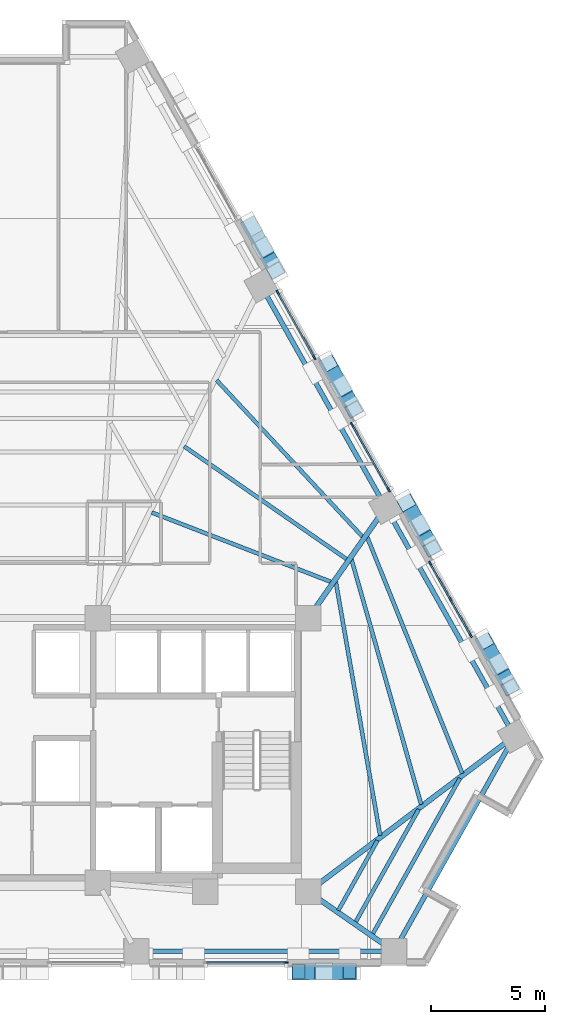
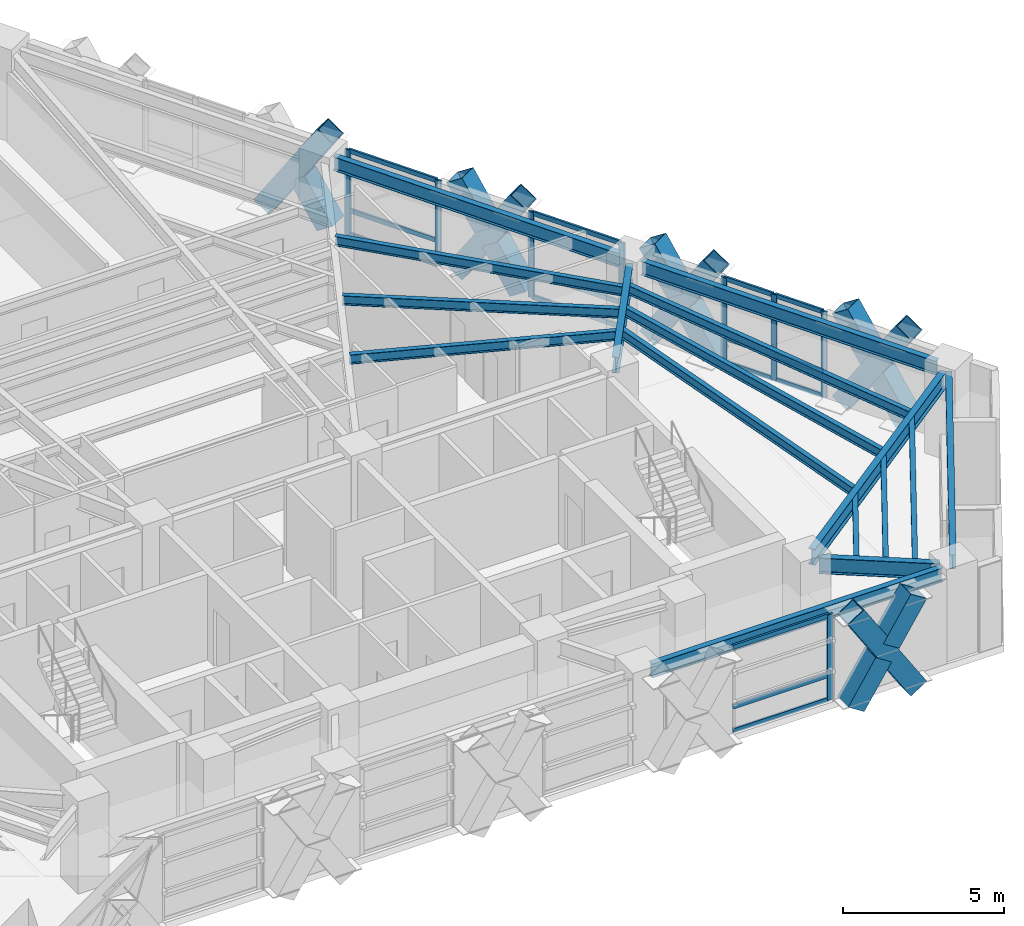
# One storey, part 4 of 14: 37 members, 16 beams, 4 elements without a shape of their own.
"""IFC4 building model written with IfcOpenShell, lengths in metres."""

from ifc_helpers import new_model, si_unit, direction, frame, origin, origin_2d, place, context, subcontext, project, spatial, rectangle, hollow_rectangle, i_section, extrude, material, material_profile, profile_set, type_object, element, aggregate, save


model = new_model("IFC4")

# Units and contexts
model_context = context("Model", 3, precision=1e-05, world=origin(), true_north=direction((0.0, 1.0)))
body_context = subcontext(model_context, "Body", "Model", "MODEL_VIEW")
ifc_project = project(units=[si_unit("LENGTHUNIT", "METRE"), si_unit("AREAUNIT", "SQUARE_METRE"), si_unit("VOLUMEUNIT", "CUBIC_METRE"), si_unit("PLANEANGLEUNIT", "RADIAN"), si_unit("MASSUNIT", "GRAM", prefix="KILO")], contexts=[model_context])

# Site, building, storey
site_placement = place(None, origin())
site = spatial("IfcSite", under=ifc_project, at=site_placement, CompositionType="ELEMENT")
building_placement = place(site_placement, origin())
building = spatial("IfcBuilding", under=site, at=building_placement, Name="Quenlor Broadcast Tower", CompositionType="ELEMENT")
storey_placement = place(building_placement, frame((0.0, 0.0, 80.10009765625)))
storey = spatial("IfcBuildingStorey", under=building, at=storey_placement, Name="L21", CompositionType="ELEMENT", Elevation=80.10009765625)

# Curtain wall, member
ifc_material_1 = material(Name="Architectural Terracotta and Low-E Glazing", Category="masonry")
curtain_wall_type = type_object("IfcCurtainWallType", Name="Unitised Terracotta Curtain Wall System Z2", PredefinedType="NOTDEFINED", material=ifc_material_1)
curtain_wall_1_placement = place(storey_placement, origin())
curtain_wall_1 = element("IfcCurtainWall", 1, at=curtain_wall_1_placement, inside=storey, type_object=curtain_wall_type, Name="L21 Curtain Wall CW2 (L21-SA-G1)", PredefinedType="NOTDEFINED")
ifc_material_2 = material(Name="Aluminium 6063-T6", Category="aluminium")
ifc_material_profile_1 = material_profile(ifc_material_2, rectangle(XDim=0.074951171875, YDim=0.199951171875, at=origin_2d()))
ifc_profile_set_1 = profile_set([ifc_material_profile_1], Name="Aluminium 6063-T6 MULL75x200")
member_type_1 = type_object("IfcMemberType", Name="CW2 Aluminium Mullion MULL_CW2", PredefinedType="MULLION", material=ifc_profile_set_1)
member_1_placement = place(storey_placement, frame((11.981689453125, -19.840087890625, 0.0), z_axis=(0.0, 0.0, 1.0), x_axis=(0.0, -1.0, 0.0)))
member_1 = element("IfcMember", 2, at=member_1_placement, type_object=member_type_1, Name="CW2 mullion 1", PredefinedType="MULLION", context=body_context, shape_type="SweptSolid", body=[
    extrude(rectangle(XDim=0.074951171875, YDim=0.199951171875, at=origin_2d()), origin(), (0.0, 0.0, 1.0), 3.25),
])

# Curtain wall, members
curtain_wall_2_placement = place(storey_placement, origin())
curtain_wall_2 = element("IfcCurtainWall", 3, at=curtain_wall_2_placement, inside=storey, type_object=curtain_wall_type, Name="L21 Curtain Wall CW2 (L21-NEC-G1)", PredefinedType="NOTDEFINED")
member_2_placement = place(storey_placement, frame((18.270263671875, -2.406982421875, 0.0), z_axis=(0.0, 0.0, 1.0), x_axis=(0.871566839915, 0.490276701018, 0.0)))
member_2 = element("IfcMember", 4, at=member_2_placement, type_object=member_type_1, Name="CW2 mullion 1", PredefinedType="MULLION", context=body_context, shape_type="SweptSolid", body=[
    extrude(rectangle(XDim=0.074951171875, YDim=0.199951171875, at=origin_2d()), origin(), (0.0, 0.0, 1.0), 3.25),
])
member_3_placement = place(storey_placement, frame((19.155029296875, -3.97998046875, 0.0), z_axis=(0.0, 0.0, 1.0), x_axis=(0.871566839915, 0.490276701018, 0.0)))
member_3 = element("IfcMember", 5, at=member_3_placement, type_object=member_type_1, Name="CW2 mullion 2", PredefinedType="MULLION", context=body_context, shape_type="SweptSolid", body=[
    extrude(rectangle(XDim=0.074951171875, YDim=0.199951171875, at=origin_2d()), origin(), (0.0, 0.0, 1.0), 3.25),
])
member_4_placement = place(storey_placement, frame((20.0400390625, -5.55322265625, 0.0), z_axis=(0.0, 0.0, 1.0), x_axis=(0.871566839915, 0.490276701018, 0.0)))
member_4 = element("IfcMember", 6, at=member_4_placement, type_object=member_type_1, Name="CW2 mullion 3", PredefinedType="MULLION", context=body_context, shape_type="SweptSolid", body=[
    extrude(rectangle(XDim=0.074951171875, YDim=0.199951171875, at=origin_2d()), origin(), (0.0, 0.0, 1.0), 3.25),
])

curtain_wall_3_placement = place(storey_placement, origin())
curtain_wall_3 = element("IfcCurtainWall", 7, at=curtain_wall_3_placement, inside=storey, type_object=curtain_wall_type, Name="L21 Curtain Wall CW2 (L21-NE-G1)", PredefinedType="NOTDEFINED")
member_5_placement = place(storey_placement, frame((11.611572265625, 9.430419921875, 0.0), z_axis=(0.0, 0.0, 1.0), x_axis=(0.871575537123, 0.490261239636, 0.0)))
member_5 = element("IfcMember", 8, at=member_5_placement, type_object=member_type_1, Name="CW2 mullion 1", PredefinedType="MULLION", context=body_context, shape_type="SweptSolid", body=[
    extrude(rectangle(XDim=0.074951171875, YDim=0.199951171875, at=origin_2d()), origin(), (0.0, 0.0, 1.0), 3.25),
])
member_6_placement = place(storey_placement, frame((13.2138671875, 6.582275390625, 0.0), z_axis=(0.0, 0.0, 1.0), x_axis=(0.871575537123, 0.490261239636, 0.0)))
member_6 = element("IfcMember", 9, at=member_6_placement, type_object=member_type_1, Name="CW2 mullion 2", PredefinedType="MULLION", context=body_context, shape_type="SweptSolid", body=[
    extrude(rectangle(XDim=0.074951171875, YDim=0.199951171875, at=origin_2d()), origin(), (0.0, 0.0, 1.0), 3.25),
])

curtain_wall_4_placement = place(storey_placement, origin())
curtain_wall_4 = element("IfcCurtainWall", 10, at=curtain_wall_4_placement, inside=storey, type_object=curtain_wall_type, Name="L21 Curtain Wall CW2 (L21-NE-G2)", PredefinedType="NOTDEFINED")
member_7_placement = place(storey_placement, frame((14.857177734375, 3.660888671875, 0.0), z_axis=(0.0, 0.0, 1.0), x_axis=(0.871575537123, 0.490261239636, 0.0)))
member_7 = element("IfcMember", 11, at=member_7_placement, type_object=member_type_1, Name="CW2 mullion 1", PredefinedType="MULLION", context=body_context, shape_type="SweptSolid", body=[
    extrude(rectangle(XDim=0.074951171875, YDim=0.199951171875, at=origin_2d()), origin(), (0.0, 0.0, 1.0), 3.25),
])
member_8_placement = place(storey_placement, frame((16.459228515625, 0.812744140625, 0.0), z_axis=(0.0, 0.0, 1.0), x_axis=(0.871575537123, 0.490261239636, 0.0)))
member_8 = element("IfcMember", 12, at=member_8_placement, type_object=member_type_1, Name="CW2 mullion 2", PredefinedType="MULLION", context=body_context, shape_type="SweptSolid", body=[
    extrude(rectangle(XDim=0.074951171875, YDim=0.199951171875, at=origin_2d()), origin(), (0.0, 0.0, 1.0), 3.25),
])

# Member
ifc_material_3 = material(Name="Aluminium 6063-T6", Category="aluminium")
ifc_material_profile_2 = material_profile(ifc_material_3, rectangle(XDim=0.074951171875, YDim=0.1650390625, at=origin_2d()))
ifc_profile_set_2 = profile_set([ifc_material_profile_2], Name="Aluminium 6063-T6 TRAN75x165")
member_type_2 = type_object("IfcMemberType", Name="CW2 Aluminium Transom TRAN_CW2", PredefinedType="USERDEFINED", material=ifc_profile_set_2)
member_9_placement = place(storey_placement, frame((11.944091796875, -19.840087890625, 0.037353515625), z_axis=(-1.0, 0.0, 0.0), x_axis=(0.0, -1.0, 0.0)))
member_9 = element("IfcMember", 13, at=member_9_placement, type_object=member_type_2, Name="CW2 transom 1.1", ObjectType="TRANSOM", PredefinedType="USERDEFINED", context=body_context, shape_type="SweptSolid", body=[
    extrude(rectangle(XDim=0.074951171875, YDim=0.1650390625, at=origin_2d()), origin(), (0.0, 0.0, 1.0), 3.435546875),
])

member_10_placement = place(storey_placement, frame((11.944091796875, -19.840087890625, 0.949951171875), z_axis=(-1.0, 0.0, 0.0), x_axis=(0.0, -1.0, 0.0)))
member_10 = element("IfcMember", 14, at=member_10_placement, type_object=member_type_2, Name="CW2 transom 1.2", ObjectType="TRANSOM", PredefinedType="USERDEFINED", context=body_context, shape_type="SweptSolid", body=[
    extrude(rectangle(XDim=0.074951171875, YDim=0.1650390625, at=origin_2d()), origin(), (0.0, 0.0, 1.0), 3.435546875),
])

member_11_placement = place(storey_placement, frame((11.944091796875, -19.840087890625, 3.21240234375), z_axis=(-1.0, 0.0, 0.0), x_axis=(0.0, -1.0, 0.0)))
member_11 = element("IfcMember", 15, at=member_11_placement, type_object=member_type_2, Name="CW2 transom 1.3", ObjectType="TRANSOM", PredefinedType="USERDEFINED", context=body_context, shape_type="SweptSolid", body=[
    extrude(rectangle(XDim=0.074951171875, YDim=0.1650390625, at=origin_2d()), origin(), (0.0, 0.0, 1.0), 3.435546875),
])

aggregate(curtain_wall_1, [member_1, member_9, member_10, member_11])

member_12_placement = place(storey_placement, frame((18.28857421875, -2.439453125, 0.037353515625), z_axis=(0.490261239633, -0.871575537125, 0.0), x_axis=(0.871575537125, 0.490261239633, 0.0)))
member_12 = element("IfcMember", 16, at=member_12_placement, type_object=member_type_2, Name="CW2 transom 1.1", ObjectType="TRANSOM", PredefinedType="USERDEFINED", context=body_context, shape_type="SweptSolid", body=[
    extrude(rectangle(XDim=0.074951171875, YDim=0.1650390625, at=origin_2d()), origin(), (0.0, 0.0, 1.0), 1.72998046875),
])

member_13_placement = place(storey_placement, frame((18.28857421875, -2.439453125, 0.949951171875), z_axis=(0.490261239633, -0.871575537125, 0.0), x_axis=(0.871575537125, 0.490261239633, 0.0)))
member_13 = element("IfcMember", 17, at=member_13_placement, type_object=member_type_2, Name="CW2 transom 1.2", ObjectType="TRANSOM", PredefinedType="USERDEFINED", context=body_context, shape_type="SweptSolid", body=[
    extrude(rectangle(XDim=0.074951171875, YDim=0.1650390625, at=origin_2d()), origin(), (0.0, 0.0, 1.0), 1.72998046875),
])

member_14_placement = place(storey_placement, frame((18.28857421875, -2.439453125, 3.21240234375), z_axis=(0.490261239633, -0.871575537125, 0.0), x_axis=(0.871575537125, 0.490261239633, 0.0)))
member_14 = element("IfcMember", 18, at=member_14_placement, type_object=member_type_2, Name="CW2 transom 1.3", ObjectType="TRANSOM", PredefinedType="USERDEFINED", context=body_context, shape_type="SweptSolid", body=[
    extrude(rectangle(XDim=0.074951171875, YDim=0.1650390625, at=origin_2d()), origin(), (0.0, 0.0, 1.0), 1.72998046875),
])

member_15_placement = place(storey_placement, frame((19.173583984375, -4.0126953125, 0.037353515625), z_axis=(0.490261239633, -0.871575537125, 0.0), x_axis=(0.871575537125, 0.490261239633, 0.0)))
member_15 = element("IfcMember", 19, at=member_15_placement, type_object=member_type_2, Name="CW2 transom 2.1", ObjectType="TRANSOM", PredefinedType="USERDEFINED", context=body_context, shape_type="SweptSolid", body=[
    extrude(rectangle(XDim=0.074951171875, YDim=0.1650390625, at=origin_2d()), origin(), (0.0, 0.0, 1.0), 1.72998046875),
])

member_16_placement = place(storey_placement, frame((19.173583984375, -4.0126953125, 0.949951171875), z_axis=(0.490261239633, -0.871575537125, 0.0), x_axis=(0.871575537125, 0.490261239633, 0.0)))
member_16 = element("IfcMember", 20, at=member_16_placement, type_object=member_type_2, Name="CW2 transom 2.2", ObjectType="TRANSOM", PredefinedType="USERDEFINED", context=body_context, shape_type="SweptSolid", body=[
    extrude(rectangle(XDim=0.074951171875, YDim=0.1650390625, at=origin_2d()), origin(), (0.0, 0.0, 1.0), 1.72998046875),
])

member_17_placement = place(storey_placement, frame((19.173583984375, -4.0126953125, 3.21240234375), z_axis=(0.490261239633, -0.871575537125, 0.0), x_axis=(0.871575537125, 0.490261239633, 0.0)))
member_17 = element("IfcMember", 21, at=member_17_placement, type_object=member_type_2, Name="CW2 transom 2.3", ObjectType="TRANSOM", PredefinedType="USERDEFINED", context=body_context, shape_type="SweptSolid", body=[
    extrude(rectangle(XDim=0.074951171875, YDim=0.1650390625, at=origin_2d()), origin(), (0.0, 0.0, 1.0), 1.72998046875),
])

aggregate(curtain_wall_2, [member_2, member_3, member_4, member_12, member_13, member_14, member_15, member_16, member_17])

member_18_placement = place(storey_placement, frame((11.630126953125, 9.39794921875, 0.037353515625), z_axis=(0.490206784037, -0.871606166158, 0.0), x_axis=(0.871606166158, 0.490206784037, 0.0)))
member_18 = element("IfcMember", 22, at=member_18_placement, type_object=member_type_2, Name="CW2 transom 1.1", ObjectType="TRANSOM", PredefinedType="USERDEFINED", context=body_context, shape_type="SweptSolid", body=[
    extrude(rectangle(XDim=0.074951171875, YDim=0.1650390625, at=origin_2d()), origin(), (0.0, 0.0, 1.0), 3.19287109375),
])

member_19_placement = place(storey_placement, frame((11.630126953125, 9.39794921875, 0.949951171875), z_axis=(0.490206784037, -0.871606166158, 0.0), x_axis=(0.871606166158, 0.490206784037, 0.0)))
member_19 = element("IfcMember", 23, at=member_19_placement, type_object=member_type_2, Name="CW2 transom 1.2", ObjectType="TRANSOM", PredefinedType="USERDEFINED", context=body_context, shape_type="SweptSolid", body=[
    extrude(rectangle(XDim=0.074951171875, YDim=0.1650390625, at=origin_2d()), origin(), (0.0, 0.0, 1.0), 3.19287109375),
])

member_20_placement = place(storey_placement, frame((11.630126953125, 9.39794921875, 3.21240234375), z_axis=(0.490206784037, -0.871606166158, 0.0), x_axis=(0.871606166158, 0.490206784037, 0.0)))
member_20 = element("IfcMember", 24, at=member_20_placement, type_object=member_type_2, Name="CW2 transom 1.3", ObjectType="TRANSOM", PredefinedType="USERDEFINED", context=body_context, shape_type="SweptSolid", body=[
    extrude(rectangle(XDim=0.074951171875, YDim=0.1650390625, at=origin_2d()), origin(), (0.0, 0.0, 1.0), 3.19287109375),
])

aggregate(curtain_wall_3, [member_5, member_6, member_18, member_19, member_20])

member_21_placement = place(storey_placement, frame((14.87548828125, 3.628173828125, 0.037353515625), z_axis=(0.490297543358, -0.871555115283, 0.0), x_axis=(0.871555115283, 0.490297543358, 0.0)))
member_21 = element("IfcMember", 25, at=member_21_placement, type_object=member_type_2, Name="CW2 transom 1.1", ObjectType="TRANSOM", PredefinedType="USERDEFINED", context=body_context, shape_type="SweptSolid", body=[
    extrude(rectangle(XDim=0.074951171875, YDim=0.1650390625, at=origin_2d()), origin(), (0.0, 0.0, 1.0), 3.19287109375),
])

member_22_placement = place(storey_placement, frame((14.87548828125, 3.628173828125, 0.949951171875), z_axis=(0.490297543358, -0.871555115283, 0.0), x_axis=(0.871555115283, 0.490297543358, 0.0)))
member_22 = element("IfcMember", 26, at=member_22_placement, type_object=member_type_2, Name="CW2 transom 1.2", ObjectType="TRANSOM", PredefinedType="USERDEFINED", context=body_context, shape_type="SweptSolid", body=[
    extrude(rectangle(XDim=0.074951171875, YDim=0.1650390625, at=origin_2d()), origin(), (0.0, 0.0, 1.0), 3.19287109375),
])

member_23_placement = place(storey_placement, frame((14.87548828125, 3.628173828125, 3.21240234375), z_axis=(0.490297543358, -0.871555115283, 0.0), x_axis=(0.871555115283, 0.490297543358, 0.0)))
member_23 = element("IfcMember", 27, at=member_23_placement, type_object=member_type_2, Name="CW2 transom 1.3", ObjectType="TRANSOM", PredefinedType="USERDEFINED", context=body_context, shape_type="SweptSolid", body=[
    extrude(rectangle(XDim=0.074951171875, YDim=0.1650390625, at=origin_2d()), origin(), (0.0, 0.0, 1.0), 3.19287109375),
])

aggregate(curtain_wall_4, [member_7, member_8, member_21, member_22, member_23])

# Members
ifc_material_4 = material(Name="Steel S355", Category="steel")
ifc_material_profile_3 = material_profile(ifc_material_4, hollow_rectangle(XDim=0.679931640625, YDim=0.679931640625, WallThickness=0.030029296875, at=origin_2d()))
ifc_profile_set_3 = profile_set([ifc_material_profile_3], Name="Steel S355 RHS680x680x30")
member_type_3 = type_object("IfcMemberType", Name="Perimeter Diagonal Lattice Brace Z2 Steel S355 RHS680x30", PredefinedType="BRACE", material=ifc_profile_set_3)
member_24_placement = place(storey_placement, frame((14.7578125, -20.235107421875, -0.1201171875), z_axis=(-0.539926440573, 0.0, 0.841712206618), x_axis=(0.0, -1.0, 0.0)))
element("IfcMember", 28, at=member_24_placement, inside=storey, type_object=member_type_3, Name="L21 Perimeter Diamond Lattice S-C1XA", PredefinedType="BRACE", context=body_context, shape_type="SweptSolid", body=[
    extrude(hollow_rectangle(XDim=0.679931640625, YDim=0.679931640625, WallThickness=0.030029296875, at=origin_2d()), origin(), (0.0, 0.0, 1.0), 4.158203125),
])
for number, where, z_axis, x_axis, name in (
    (29, (12.5126953125, -20.235107421875, -0.1201171875), (0.539920793993, 0.0, 0.841715828658), (0.0, 1.0, 0.0), "L21 Perimeter Diamond Lattice S-C1XB1"),
    (30, (13.770263671875, -20.235107421875, 1.84033203125), (0.539920793993, 0.0, 0.841715828658), (0.0, 1.0, 0.0), "L21 Perimeter Diamond Lattice S-C1XB2"),
):
    element("IfcMember", number, at=place(storey_placement, frame(where, z_axis=z_axis, x_axis=x_axis)), inside=storey, type_object=member_type_3, Name=name, PredefinedType="BRACE", context=body_context, shape_type="SweptSolid", body=[
        extrude(hollow_rectangle(XDim=0.679931640625, YDim=0.679931640625, WallThickness=0.030029296875, at=origin_2d()), origin(), (0.0, 0.0, 1.0), 1.8291015625),
    ])
member_25_placement = place(storey_placement, frame((10.40478515625, 12.382080078125, -0.1201171875), z_axis=(0.268642373731, -0.477592925498, 0.83650240439), x_axis=(0.871578380919, 0.490256183964, 0.0)))
element("IfcMember", 31, at=member_25_placement, inside=storey, type_object=member_type_3, Name="L21 Perimeter Diamond Lattice NE-C2XA", PredefinedType="BRACE", context=body_context, shape_type="SweptSolid", body=[
    extrude(hollow_rectangle(XDim=0.679931640625, YDim=0.679931640625, WallThickness=0.030029296875, at=origin_2d()), origin(), (0.0, 0.0, 1.0), 4.18408203125),
])
member_26_placement = place(storey_placement, frame((11.52880859375, 10.3837890625, -0.1201171875), z_axis=(-0.268626747826, 0.477617562488, 0.836493355834), x_axis=(-0.871601370751, -0.490215310353, 0.0)))
element("IfcMember", 32, at=member_26_placement, inside=storey, type_object=member_type_3, Name="L21 Perimeter Diamond Lattice NE-C2XB1", PredefinedType="BRACE", context=body_context, shape_type="SweptSolid", body=[
    extrude(hollow_rectangle(XDim=0.679931640625, YDim=0.679931640625, WallThickness=0.030029296875, at=origin_2d()), origin(), (0.0, 0.0, 1.0), 1.84228515625),
])
member_27_placement = place(storey_placement, frame((13.81787109375, 6.314453125, -0.1201171875), z_axis=(0.268642373731, -0.477592925498, 0.83650240439), x_axis=(0.871578380919, 0.490256183964, 0.0)))
element("IfcMember", 33, at=member_27_placement, inside=storey, type_object=member_type_3, Name="L21 Perimeter Diamond Lattice NE-C3XA", PredefinedType="BRACE", context=body_context, shape_type="SweptSolid", body=[
    extrude(hollow_rectangle(XDim=0.679931640625, YDim=0.679931640625, WallThickness=0.030029296875, at=origin_2d()), origin(), (0.0, 0.0, 1.0), 4.18408203125),
])
for number, where, z_axis, x_axis, name in (
    (34, (14.94189453125, 4.316162109375, -0.1201171875), (-0.268643750061, 0.477515259729, 0.836546300141), (-0.871543234879, -0.490318661421, 0.0), "L21 Perimeter Diamond Lattice NE-C3XB1"),
    (35, (14.3125, 5.4345703125, 1.839111328125), (-0.268533549845, 0.477687519073, 0.836483333205), (-0.871704696361, -0.490031552394, 0.0), "L21 Perimeter Diamond Lattice NE-C3XB2"),
):
    element("IfcMember", number, at=place(storey_placement, frame(where, z_axis=z_axis, x_axis=x_axis)), inside=storey, type_object=member_type_3, Name=name, PredefinedType="BRACE", context=body_context, shape_type="SweptSolid", body=[
        extrude(hollow_rectangle(XDim=0.679931640625, YDim=0.679931640625, WallThickness=0.030029296875, at=origin_2d()), origin(), (0.0, 0.0, 1.0), 1.842041015625),
    ])
member_28_placement = place(storey_placement, frame((17.230712890625, 0.24658203125, -0.1201171875), z_axis=(0.268696511206, -0.477585438485, 0.836489290913), x_axis=(0.871532878923, 0.490337068716, 0.0)))
element("IfcMember", 36, at=member_28_placement, inside=storey, type_object=member_type_3, Name="L21 Perimeter Diamond Lattice NE-C4XA", PredefinedType="BRACE", context=body_context, shape_type="SweptSolid", body=[
    extrude(hollow_rectangle(XDim=0.679931640625, YDim=0.679931640625, WallThickness=0.030029296875, at=origin_2d()), origin(), (0.0, 0.0, 1.0), 4.18408203125),
])
member_29_placement = place(storey_placement, frame((18.35498046875, -1.751708984375, -0.1201171875), z_axis=(-0.268626747826, 0.477617562488, 0.836493355834), x_axis=(-0.871601370751, -0.490215310353, 0.0)))
element("IfcMember", 37, at=member_29_placement, inside=storey, type_object=member_type_3, Name="L21 Perimeter Diamond Lattice NE-C4XB1", PredefinedType="BRACE", context=body_context, shape_type="SweptSolid", body=[
    extrude(hollow_rectangle(XDim=0.679931640625, YDim=0.679931640625, WallThickness=0.030029296875, at=origin_2d()), origin(), (0.0, 0.0, 1.0), 1.84228515625),
])
member_30_placement = place(storey_placement, frame((17.7255859375, -0.633056640625, 1.839111328125), z_axis=(-0.268673537114, 0.477568206326, 0.836506508499), x_axis=(-0.871543234879, -0.490318661421, 0.0)))
element("IfcMember", 38, at=member_30_placement, inside=storey, type_object=member_type_3, Name="L21 Perimeter Diamond Lattice NE-C4XB2", PredefinedType="BRACE", context=body_context, shape_type="SweptSolid", body=[
    extrude(hollow_rectangle(XDim=0.679931640625, YDim=0.679931640625, WallThickness=0.030029296875, at=origin_2d()), origin(), (0.0, 0.0, 1.0), 1.841796875),
])
member_31_placement = place(storey_placement, frame((20.643798828125, -5.821044921875, -0.1201171875), z_axis=(0.268696511206, -0.477585438485, 0.836489290913), x_axis=(0.871532878923, 0.490337068716, 0.0)))
element("IfcMember", 39, at=member_31_placement, inside=storey, type_object=member_type_3, Name="L21 Perimeter Diamond Lattice NE-C5XA", PredefinedType="BRACE", context=body_context, shape_type="SweptSolid", body=[
    extrude(hollow_rectangle(XDim=0.679931640625, YDim=0.679931640625, WallThickness=0.030029296875, at=origin_2d()), origin(), (0.0, 0.0, 1.0), 4.18408203125),
])
member_32_placement = place(storey_placement, frame((21.76806640625, -7.8193359375, -0.1201171875), z_axis=(-0.268626747826, 0.477617562488, 0.836493355834), x_axis=(-0.871601370751, -0.490215310353, 0.0)))
element("IfcMember", 40, at=member_32_placement, inside=storey, type_object=member_type_3, Name="L21 Perimeter Diamond Lattice NE-C5XB1", PredefinedType="BRACE", context=body_context, shape_type="SweptSolid", body=[
    extrude(hollow_rectangle(XDim=0.679931640625, YDim=0.679931640625, WallThickness=0.030029296875, at=origin_2d()), origin(), (0.0, 0.0, 1.0), 1.84228515625),
])
member_33_placement = place(storey_placement, frame((21.138916015625, -6.70068359375, 1.839111328125), z_axis=(-0.268796509928, 0.477551195893, 0.836476713096), x_axis=(-0.871439858367, -0.49050236824, 0.0)))
element("IfcMember", 41, at=member_33_placement, inside=storey, type_object=member_type_3, Name="L21 Perimeter Diamond Lattice NE-C5XB2", PredefinedType="BRACE", context=body_context, shape_type="SweptSolid", body=[
    extrude(hollow_rectangle(XDim=0.679931640625, YDim=0.679931640625, WallThickness=0.030029296875, at=origin_2d()), origin(), (0.0, 0.0, 1.0), 1.842041015625),
])

# Beams
ifc_material_5 = material(Name="Steel S355", Category="steel")
ifc_material_profile_4 = material_profile(ifc_material_5, i_section(OverallWidth=0.208984375, OverallDepth=0.5283203125, WebThickness=0.009521484375, FlangeThickness=0.01318359375, FilletRadius=0.013916015625, at=origin_2d()))
ifc_profile_set_4 = profile_set([ifc_material_profile_4], Name="Steel S355 530UB82.0")
beam_type_1 = type_object("IfcBeamType", Name="Perimeter Spandrel Beam Z2 Steel S355 530UB82.0", PredefinedType="SPANDREL", material=ifc_profile_set_4)
beam_1_placement = place(storey_placement, frame((5.853271484375, -19.35009765625, 2.98583984375), z_axis=(1.0, 0.0, 0.0), x_axis=(0.0, 1.0, 0.0)))
element("IfcBeam", 42, at=beam_1_placement, inside=storey, type_object=beam_type_1, Name="L21 Spandrel Beam S3-S4", PredefinedType="SPANDREL", context=body_context, shape_type="SweptSolid", body=[
    extrude(i_section(OverallWidth=0.208984375, OverallDepth=0.5283203125, WebThickness=0.009521484375, FlangeThickness=0.01318359375, FilletRadius=0.013916015625, at=origin_2d()), origin(), (0.0, 0.0, 1.0), 10.42919921875),
])
beam_2_placement = place(storey_placement, frame((16.892822265625, -18.9921875, 2.98583984375), z_axis=(0.488749102779, 0.872424389006, 0.0), x_axis=(-0.872424389006, 0.488749102779, 0.0)))
element("IfcBeam", 43, at=beam_2_placement, inside=storey, type_object=beam_type_1, Name="L21 Spandrel Beam S4-NE1", PredefinedType="SPANDREL", context=body_context, shape_type="SweptSolid", body=[
    extrude(i_section(OverallWidth=0.208984375, OverallDepth=0.5283203125, WebThickness=0.009521484375, FlangeThickness=0.01318359375, FilletRadius=0.013916015625, at=origin_2d()), origin(), (0.0, 0.0, 1.0), 9.947021484375),
])
beam_3_placement = place(storey_placement, frame((21.753662109375, -9.59912109375, 2.98583984375), z_axis=(-0.490263415828, 0.871574313011, 0.0), x_axis=(-0.871574313011, -0.490263415828, 0.0)))
element("IfcBeam", 44, at=beam_3_placement, inside=storey, type_object=beam_type_1, Name="L21 Spandrel Beam NE1-NE2", PredefinedType="SPANDREL", context=body_context, shape_type="SweptSolid", body=[
    extrude(i_section(OverallWidth=0.208984375, OverallDepth=0.5283203125, WebThickness=0.009521484375, FlangeThickness=0.01318359375, FilletRadius=0.013916015625, at=origin_2d()), origin(), (0.0, 0.0, 1.0), 10.65283203125),
])
beam_4_placement = place(storey_placement, frame((16.129150390625, 0.400146484375, 2.98583984375), z_axis=(-0.49026462139, 0.871573634878, 0.0), x_axis=(-0.871573634878, -0.49026462139, 0.0)))
element("IfcBeam", 45, at=beam_4_placement, inside=storey, type_object=beam_type_1, Name="L21 Spandrel Beam NE2-NE3", PredefinedType="SPANDREL", context=body_context, shape_type="SweptSolid", body=[
    extrude(i_section(OverallWidth=0.208984375, OverallDepth=0.5283203125, WebThickness=0.009521484375, FlangeThickness=0.01318359375, FilletRadius=0.013916015625, at=origin_2d()), origin(), (0.0, 0.0, 1.0), 10.28271484375),
])
ifc_material_6 = material(Name="Steel S355", Category="steel")
ifc_material_profile_5 = material_profile(ifc_material_6, i_section(OverallWidth=0.172119140625, OverallDepth=0.358642578125, WebThickness=0.008056640625, FlangeThickness=0.012939453125, FilletRadius=0.011474609375, at=origin_2d()))
ifc_profile_set_5 = profile_set([ifc_material_profile_5], Name="Steel S355 360UB56.7")
beam_type_2 = type_object("IfcBeamType", Name="Tower Composite Joist Z2-Z3 Steel S355 360UB56.7", PredefinedType="JOIST", material=ifc_profile_set_5)
beam_5_placement = place(storey_placement, frame((13.95703125, -3.221435546875, 3.070556640625), z_axis=(-0.932542579586, 0.361060018916, 0.0), x_axis=(-0.361060018916, -0.932542579586, 0.0)))
element("IfcBeam", 46, at=beam_5_placement, inside=storey, type_object=beam_type_2, Name="L21 Secondary Composite Joist 10", PredefinedType="JOIST", context=body_context, shape_type="SweptSolid", body=[
    extrude(i_section(OverallWidth=0.172119140625, OverallDepth=0.358642578125, WebThickness=0.008056640625, FlangeThickness=0.012939453125, FilletRadius=0.011474609375, at=origin_2d()), origin(), (0.0, 0.0, 1.0), 8.416259765625),
])
beam_6_placement = place(storey_placement, frame((14.641845703125, -2.236083984375, 3.070556640625), z_axis=(-0.821385737622, 0.570373097219, 0.0), x_axis=(-0.570373097219, -0.821385737622, 0.0)))
element("IfcBeam", 47, at=beam_6_placement, inside=storey, type_object=beam_type_2, Name="L21 Secondary Composite Joist 11", PredefinedType="JOIST", context=body_context, shape_type="SweptSolid", body=[
    extrude(i_section(OverallWidth=0.172119140625, OverallDepth=0.358642578125, WebThickness=0.008056640625, FlangeThickness=0.012939453125, FilletRadius=0.011474609375, at=origin_2d()), origin(), (0.0, 0.0, 1.0), 8.662109375),
])
beam_7_placement = place(storey_placement, frame((15.3291015625, -1.254638671875, 3.070556640625), z_axis=(-0.681880655944, 0.73146344478, 0.0), x_axis=(-0.73146344478, -0.681880655944, 0.0)))
element("IfcBeam", 48, at=beam_7_placement, inside=storey, type_object=beam_type_2, Name="L21 Secondary Composite Joist 12", PredefinedType="JOIST", context=body_context, shape_type="SweptSolid", body=[
    extrude(i_section(OverallWidth=0.172119140625, OverallDepth=0.358642578125, WebThickness=0.008056640625, FlangeThickness=0.012939453125, FilletRadius=0.011474609375, at=origin_2d()), origin(), (0.0, 0.0, 1.0), 9.365234375),
])
beam_8_placement = place(storey_placement, frame((16.087890625, -14.29345703125, 3.070556640625), z_axis=(-0.172120396521, 0.985075920476, 0.0), x_axis=(-0.985075920476, -0.172120396521, 0.0)))
element("IfcBeam", 49, at=beam_8_placement, inside=storey, type_object=beam_type_2, Name="L21 Secondary Composite Joist 16", PredefinedType="JOIST", context=body_context, shape_type="SweptSolid", body=[
    extrude(i_section(OverallWidth=0.172119140625, OverallDepth=0.358642578125, WebThickness=0.008056640625, FlangeThickness=0.012939453125, FilletRadius=0.011474609375, at=origin_2d()), origin(), (0.0, 0.0, 1.0), 11.27783203125),
])
beam_9_placement = place(storey_placement, frame((17.880615234375, -12.9365234375, 3.070556640625), z_axis=(-0.273563993601, 0.96185380459, 0.0), x_axis=(-0.96185380459, -0.273563993601, 0.0)))
element("IfcBeam", 50, at=beam_9_placement, inside=storey, type_object=beam_type_2, Name="L21 Secondary Composite Joist 17", PredefinedType="JOIST", context=body_context, shape_type="SweptSolid", body=[
    extrude(i_section(OverallWidth=0.172119140625, OverallDepth=0.358642578125, WebThickness=0.008056640625, FlangeThickness=0.012939453125, FilletRadius=0.011474609375, at=origin_2d()), origin(), (0.0, 0.0, 1.0), 11.1484375),
])
beam_10_placement = place(storey_placement, frame((19.673583984375, -11.580810546875, 3.070556640625), z_axis=(-0.373180395983, 0.92775880058, 0.0), x_axis=(-0.92775880058, -0.373180395983, 0.0)))
element("IfcBeam", 51, at=beam_10_placement, inside=storey, type_object=beam_type_2, Name="L21 Secondary Composite Joist 18", PredefinedType="JOIST", context=body_context, shape_type="SweptSolid", body=[
    extrude(i_section(OverallWidth=0.172119140625, OverallDepth=0.358642578125, WebThickness=0.008056640625, FlangeThickness=0.012939453125, FilletRadius=0.011474609375, at=origin_2d()), origin(), (0.0, 0.0, 1.0), 11.143798828125),
])
beam_11_placement = place(storey_placement, frame((14.261474609375, -17.564208984375, 3.070556640625), z_axis=(0.488730779643, 0.87243465373, 0.0), x_axis=(-0.87243465373, 0.488730779643, 0.0)))
element("IfcBeam", 52, at=beam_11_placement, inside=storey, type_object=beam_type_2, Name="L21 Secondary Composite Joist 22", PredefinedType="JOIST", context=body_context, shape_type="SweptSolid", body=[
    extrude(i_section(OverallWidth=0.172119140625, OverallDepth=0.358642578125, WebThickness=0.008056640625, FlangeThickness=0.012939453125, FilletRadius=0.011474609375, at=origin_2d()), origin(), (0.0, 0.0, 1.0), 3.500732421875),
])
beam_12_placement = place(storey_placement, frame((15.010009765625, -18.084228515625, 3.070556640625), z_axis=(0.488741419435, 0.87242869332, 0.0), x_axis=(-0.87242869332, 0.488741419435, 0.0)))
element("IfcBeam", 53, at=beam_12_placement, inside=storey, type_object=beam_type_2, Name="L21 Secondary Composite Joist 23", PredefinedType="JOIST", context=body_context, shape_type="SweptSolid", body=[
    extrude(i_section(OverallWidth=0.172119140625, OverallDepth=0.358642578125, WebThickness=0.008056640625, FlangeThickness=0.012939453125, FilletRadius=0.011474609375, at=origin_2d()), origin(), (0.0, 0.0, 1.0), 5.654052734375),
])
beam_13_placement = place(storey_placement, frame((15.758544921875, -18.604248046875, 3.070556640625), z_axis=(0.488732857155, 0.872433489922, 0.0), x_axis=(-0.872433489922, 0.488732857155, 0.0)))
element("IfcBeam", 54, at=beam_13_placement, inside=storey, type_object=beam_type_2, Name="L21 Secondary Composite Joist 24", PredefinedType="JOIST", context=body_context, shape_type="SweptSolid", body=[
    extrude(i_section(OverallWidth=0.172119140625, OverallDepth=0.358642578125, WebThickness=0.008056640625, FlangeThickness=0.012939453125, FilletRadius=0.011474609375, at=origin_2d()), origin(), (0.0, 0.0, 1.0), 7.807861328125),
])
ifc_material_7 = material(Name="Steel S355", Category="steel")
ifc_material_profile_6 = material_profile(ifc_material_7, i_section(OverallWidth=0.22802734375, OverallDepth=0.60205078125, WebThickness=0.010498046875, FlangeThickness=0.014892578125, FilletRadius=0.013916015625, at=origin_2d()))
ifc_profile_set_6 = profile_set([ifc_material_profile_6], Name="Steel S355 610UB101")
beam_type_3 = type_object("IfcBeamType", Name="Tower Primary Floor Beam Z2 Steel S355 610UB101", PredefinedType="BEAM", material=ifc_profile_set_6)
beam_14_placement = place(storey_placement, frame((16.355712890625, -19.1162109375, 2.948974609375), z_axis=(-0.821227395059, 0.570601056436, 0.0), x_axis=(-0.570601056436, -0.821227395059, 0.0)))
element("IfcBeam", 55, at=beam_14_placement, inside=storey, type_object=beam_type_3, Name="L21 Primary Radial Beam S4", PredefinedType="BEAM", context=body_context, shape_type="SweptSolid", body=[
    extrude(i_section(OverallWidth=0.22802734375, OverallDepth=0.60205078125, WebThickness=0.010498046875, FlangeThickness=0.014892578125, FilletRadius=0.013916015625, at=origin_2d()), origin(), (0.0, 0.0, 1.0), 3.766845703125),
])
beam_15_placement = place(storey_placement, frame((21.62744140625, -10.203369140625, 2.948974609375), z_axis=(-0.798298724007, -0.602261693327, 0.0), x_axis=(0.602261693327, -0.798298724007, 0.0)))
element("IfcBeam", 56, at=beam_15_placement, inside=storey, type_object=beam_type_3, Name="L21 Primary Radial Beam NE1", PredefinedType="BEAM", context=body_context, shape_type="SweptSolid", body=[
    extrude(i_section(OverallWidth=0.22802734375, OverallDepth=0.60205078125, WebThickness=0.010498046875, FlangeThickness=0.014892578125, FilletRadius=0.013916015625, at=origin_2d()), origin(), (0.0, 0.0, 1.0), 10.48974609375),
])
beam_16_placement = place(storey_placement, frame((16.095458984375, -0.293212890625, 2.948974609375), z_axis=(-0.572337599985, -0.820018092266, 0.0), x_axis=(0.820018092266, -0.572337599985, 0.0)))
element("IfcBeam", 57, at=beam_16_placement, inside=storey, type_object=beam_type_3, Name="L21 Primary Radial Beam NE2", PredefinedType="BEAM", context=body_context, shape_type="SweptSolid", body=[
    extrude(i_section(OverallWidth=0.22802734375, OverallDepth=0.60205078125, WebThickness=0.010498046875, FlangeThickness=0.014892578125, FilletRadius=0.013916015625, at=origin_2d()), origin(), (0.0, 0.0, 1.0), 5.11572265625),
])

save(model, "model.ifc")
